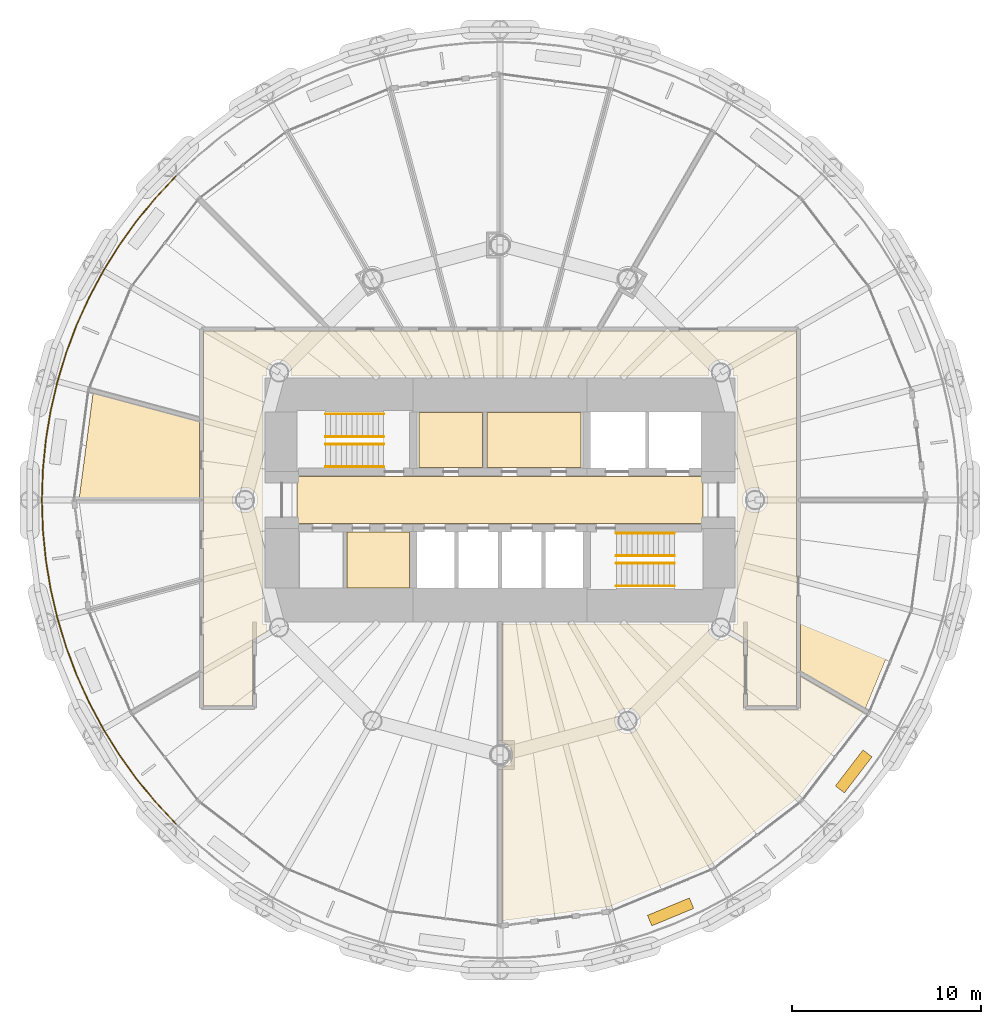
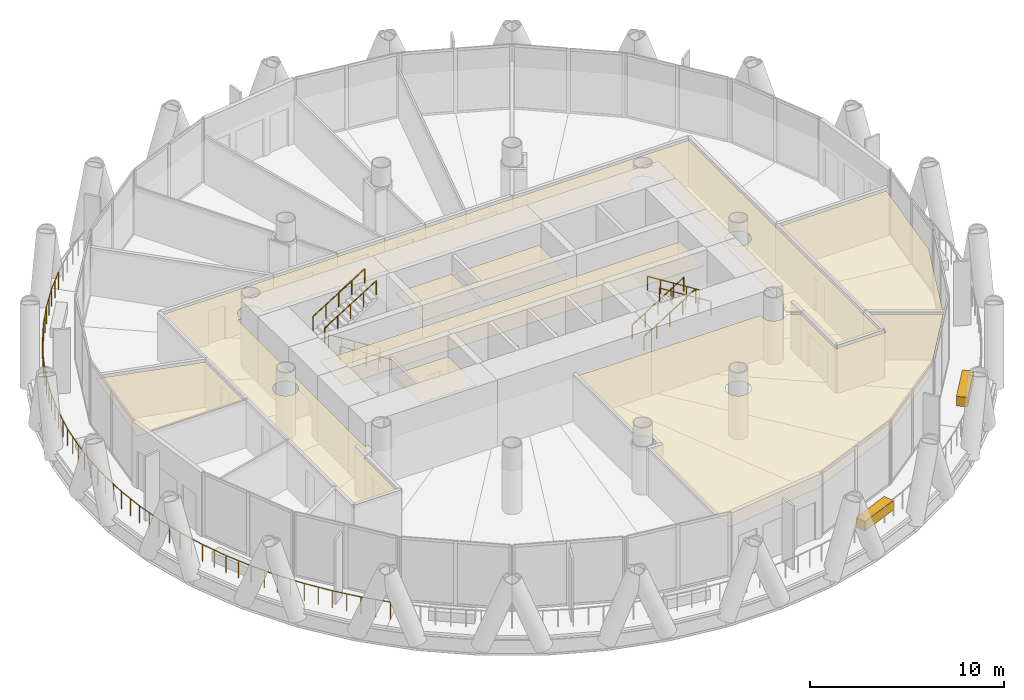
# One storey, part 14 of 16: 10 coverings, 9 railings.
"""IFC4 building model written with IfcOpenShell, lengths in metres."""

from ifc_helpers import new_model, si_unit, direction, frame, origin, origin_2d, place, context, subcontext, project, spatial, polyline, rectangle, circle, outline, extrude, material, layer, layer_set, type_object, element, save


model = new_model("IFC4")

# Units and contexts
model_context = context("Model", 3, precision=1e-05, world=origin(), true_north=direction((0.0, 1.0)))
body_context = subcontext(model_context, "Body", "Model", "MODEL_VIEW")
ifc_project = project(units=[si_unit("LENGTHUNIT", "METRE"), si_unit("AREAUNIT", "SQUARE_METRE"), si_unit("VOLUMEUNIT", "CUBIC_METRE"), si_unit("PLANEANGLEUNIT", "RADIAN"), si_unit("MASSUNIT", "GRAM", prefix="KILO")], contexts=[model_context])

# Site, building, storey
site_placement = place(None, origin())
site = spatial("IfcSite", under=ifc_project, at=site_placement, CompositionType="ELEMENT")
building_placement = place(site_placement, origin())
building = spatial("IfcBuilding", under=site, at=building_placement, Name="Qaws Media Tower", CompositionType="ELEMENT")
storey_placement = place(building_placement, frame((0.0, 0.0, 139.39990234375)))
storey = spatial("IfcBuildingStorey", under=building, at=storey_placement, Name="L31", CompositionType="ELEMENT", Elevation=139.39990234375)

# Railing
ifc_material_1 = material(Name="Stainless steel and glass guard", Category="steel")
railing_type_1 = type_object("IfcRailingType", Name="Balcony guard 1100", PredefinedType="GUARDRAIL", material=ifc_material_1)
railing_placement = place(storey_placement, frame((42.8525390625, 67.1474609375, 0.0)))
element("IfcRailing", 1, at=railing_placement, inside=storey, type_object=railing_type_1, Name="GR1 balcony guard L31-2", PredefinedType="GUARDRAIL", context=body_context, shape_type="SweptSolid", body=[
    extrude(circle(Radius=0.02392578125, at=origin_2d()), frame((0.0, 0.0, 1.076171875), z_axis=(-0.683572560121, -0.729882562506, 0.0), x_axis=(0.729882562506, -0.683572560121, 0.0)), (0.0, 0.0, 1.0), 1.5869140625),
    extrude(circle(Radius=0.02392578125, at=origin_2d()), frame((-1.084716796875, -1.158203125, 1.076171875), z_axis=(-0.634309538939, -0.773079173701, 0.0), x_axis=(0.773079173701, -0.634309538939, 0.0)), (0.0, 0.0, 1.0), 1.5869140625),
    extrude(circle(Radius=0.02392578125, at=origin_2d()), frame((-2.09130859375, -2.385009765625, 1.076171875), z_axis=(-0.582503693952, -0.812828054715, 0.0), x_axis=(0.812828054715, -0.582503693952, 0.0)), (0.0, 0.0, 1.0), 1.5869140625),
    extrude(circle(Radius=0.02392578125, at=origin_2d()), frame((-3.015625, -3.6748046875, 1.076171875), z_axis=(-0.528117041741, -0.849171590565, 0.0), x_axis=(0.849171590565, -0.528117041741, 0.0)), (0.0, 0.0, 1.0), 1.5869140625),
    extrude(circle(Radius=0.02392578125, at=origin_2d()), frame((-3.853759765625, -5.0224609375, 1.076171875), z_axis=(-0.471418536424, -0.881909611874, 0.0), x_axis=(0.881909611874, -0.471418536424, 0.0)), (0.0, 0.0, 1.0), 1.5869140625),
    extrude(circle(Radius=0.02392578125, at=origin_2d()), frame((-4.601806640625, -6.421875, 1.076171875), z_axis=(-0.412608719451, -0.910908362368, 0.0), x_axis=(0.910908362368, -0.412608719451, 0.0)), (0.0, 0.0, 1.0), 1.5869140625),
    extrude(circle(Radius=0.02392578125, at=origin_2d()), frame((-5.256591796875, -7.867431640625, 1.076171875), z_axis=(-0.352320246807, -0.935879502762, 0.0), x_axis=(0.935879502762, -0.352320246807, 0.0)), (0.0, 0.0, 1.0), 1.5869140625),
    extrude(circle(Radius=0.02392578125, at=origin_2d()), frame((-5.815673828125, -9.3525390625, 1.076171875), z_axis=(-0.290169656538, -0.956975219337, 0.0), x_axis=(0.956975219337, -0.290169656538, 0.0)), (0.0, 0.0, 1.0), 1.5869140625),
    extrude(circle(Radius=0.02392578125, at=origin_2d()), frame((-6.276123046875, -10.87109375, 1.076171875), z_axis=(-0.227083706128, -0.973875243761, 0.0), x_axis=(0.973875243761, -0.227083706128, 0.0)), (0.0, 0.0, 1.0), 1.5869140625),
    extrude(circle(Radius=0.02392578125, at=origin_2d()), frame((-6.636474609375, -12.41650390625, 1.076171875), z_axis=(-0.162926836817, -0.986638153451, 0.0), x_axis=(0.986638153451, -0.162926836817, 0.0)), (0.0, 0.0, 1.0), 1.5869140625),
    extrude(circle(Radius=0.02392578125, at=origin_2d()), frame((-6.89501953125, -13.982177734375, 1.076171875), z_axis=(-0.097995674369, -0.995186840651, 0.0), x_axis=(0.995186840651, -0.097995674369, 0.0)), (0.0, 0.0, 1.0), 1.5869140625),
    extrude(circle(Radius=0.02392578125, at=origin_2d()), frame((-7.050537109375, -15.5615234375, 1.076171875), z_axis=(-0.032771796378, -0.999462860422, 0.0), x_axis=(0.999462860422, -0.032771796378, 0.0)), (0.0, 0.0, 1.0), 1.586669921875),
    extrude(circle(Radius=0.02392578125, at=origin_2d()), frame((-7.1025390625, -17.1474609375, 1.076171875), z_axis=(0.032771796378, -0.999462860422, 0.0), x_axis=(0.999462860422, 0.032771796378, 0.0)), (0.0, 0.0, 1.0), 1.586669921875),
    extrude(circle(Radius=0.02392578125, at=origin_2d()), frame((-7.050537109375, -18.7333984375, 1.076171875), z_axis=(0.097995674369, -0.995186840651, 0.0), x_axis=(0.995186840651, 0.097995674369, 0.0)), (0.0, 0.0, 1.0), 1.5869140625),
    extrude(circle(Radius=0.02392578125, at=origin_2d()), frame((-6.89501953125, -20.312744140625, 1.076171875), z_axis=(0.162926836817, -0.986638153451, 0.0), x_axis=(0.986638153451, 0.162926836817, 0.0)), (0.0, 0.0, 1.0), 1.5869140625),
    extrude(circle(Radius=0.02392578125, at=origin_2d()), frame((-6.636474609375, -21.87841796875, 1.076171875), z_axis=(0.227083706128, -0.973875243761, 0.0), x_axis=(0.973875243761, 0.227083706128, 0.0)), (0.0, 0.0, 1.0), 1.5869140625),
    extrude(circle(Radius=0.02392578125, at=origin_2d()), frame((-6.276123046875, -23.423828125, 1.076171875), z_axis=(0.290169656538, -0.956975219337, 0.0), x_axis=(0.956975219337, 0.290169656538, 0.0)), (0.0, 0.0, 1.0), 1.5869140625),
    extrude(circle(Radius=0.02392578125, at=origin_2d()), frame((-5.815673828125, -24.9423828125, 1.076171875), z_axis=(0.352320246807, -0.935879502762, 0.0), x_axis=(0.935879502762, 0.352320246807, 0.0)), (0.0, 0.0, 1.0), 1.5869140625),
    extrude(circle(Radius=0.02392578125, at=origin_2d()), frame((-5.256591796875, -26.427490234375, 1.076171875), z_axis=(0.412608719451, -0.910908362368, 0.0), x_axis=(0.910908362368, 0.412608719451, 0.0)), (0.0, 0.0, 1.0), 1.5869140625),
    extrude(circle(Radius=0.02392578125, at=origin_2d()), frame((-4.601806640625, -27.873046875, 1.076171875), z_axis=(0.471418536424, -0.881909611874, 0.0), x_axis=(0.881909611874, 0.471418536424, 0.0)), (0.0, 0.0, 1.0), 1.5869140625),
    extrude(circle(Radius=0.02392578125, at=origin_2d()), frame((-3.853759765625, -29.2724609375, 1.076171875), z_axis=(0.528117041741, -0.849171590565, 0.0), x_axis=(0.849171590565, 0.528117041741, 0.0)), (0.0, 0.0, 1.0), 1.5869140625),
    extrude(circle(Radius=0.02392578125, at=origin_2d()), frame((-3.015625, -30.6201171875, 1.076171875), z_axis=(0.582503693952, -0.812828054715, 0.0), x_axis=(0.812828054715, 0.582503693952, 0.0)), (0.0, 0.0, 1.0), 1.5869140625),
    extrude(circle(Radius=0.02392578125, at=origin_2d()), frame((-2.09130859375, -31.909912109375, 1.076171875), z_axis=(0.634309538939, -0.773079173701, 0.0), x_axis=(0.773079173701, 0.634309538939, 0.0)), (0.0, 0.0, 1.0), 1.5869140625),
    extrude(circle(Radius=0.02392578125, at=origin_2d()), frame((-1.084716796875, -33.13671875, 1.076171875), z_axis=(0.683572560121, -0.729882562506, 0.0), x_axis=(0.729882562506, 0.683572560121, 0.0)), (0.0, 0.0, 1.0), 1.5869140625),
    extrude(circle(Radius=0.02099609375, at=origin_2d()), origin(), (0.0, 0.0, 1.0), 1.052001953125),
    extrude(circle(Radius=0.02099609375, at=origin_2d()), frame((-0.54248046875, -0.5791015625, 0.0)), (0.0, 0.0, 1.0), 1.052001953125),
    extrude(circle(Radius=0.02099609375, at=origin_2d()), frame((-1.084716796875, -1.158203125, 0.0)), (0.0, 0.0, 1.0), 1.052001953125),
    extrude(circle(Radius=0.02099609375, at=origin_2d()), frame((-1.587890625, -1.771484375, 0.0)), (0.0, 0.0, 1.0), 1.052001953125),
    extrude(circle(Radius=0.02099609375, at=origin_2d()), frame((-2.09130859375, -2.385009765625, 0.0)), (0.0, 0.0, 1.0), 1.052001953125),
    extrude(circle(Radius=0.02099609375, at=origin_2d()), frame((-2.553466796875, -3.02978515625, 0.0)), (0.0, 0.0, 1.0), 1.052001953125),
    extrude(circle(Radius=0.02099609375, at=origin_2d()), frame((-3.015625, -3.6748046875, 0.0)), (0.0, 0.0, 1.0), 1.052001953125),
    extrude(circle(Radius=0.02099609375, at=origin_2d()), frame((-3.4345703125, -4.3486328125, 0.0)), (0.0, 0.0, 1.0), 1.052001953125),
    extrude(circle(Radius=0.02099609375, at=origin_2d()), frame((-3.853759765625, -5.0224609375, 0.0)), (0.0, 0.0, 1.0), 1.052001953125),
    extrude(circle(Radius=0.02099609375, at=origin_2d()), frame((-4.227783203125, -5.72216796875, 0.0)), (0.0, 0.0, 1.0), 1.052001953125),
    extrude(circle(Radius=0.02099609375, at=origin_2d()), frame((-4.601806640625, -6.421875, 0.0)), (0.0, 0.0, 1.0), 1.052001953125),
    extrude(circle(Radius=0.02099609375, at=origin_2d()), frame((-4.92919921875, -7.14453125, 0.0)), (0.0, 0.0, 1.0), 1.052001953125),
    extrude(circle(Radius=0.02099609375, at=origin_2d()), frame((-5.256591796875, -7.867431640625, 0.0)), (0.0, 0.0, 1.0), 1.052001953125),
    extrude(circle(Radius=0.02099609375, at=origin_2d()), frame((-5.5361328125, -8.60986328125, 0.0)), (0.0, 0.0, 1.0), 1.052001953125),
    extrude(circle(Radius=0.02099609375, at=origin_2d()), frame((-5.815673828125, -9.3525390625, 0.0)), (0.0, 0.0, 1.0), 1.052001953125),
    extrude(circle(Radius=0.02099609375, at=origin_2d()), frame((-6.0458984375, -10.11181640625, 0.0)), (0.0, 0.0, 1.0), 1.052001953125),
    extrude(circle(Radius=0.02099609375, at=origin_2d()), frame((-6.276123046875, -10.87109375, 0.0)), (0.0, 0.0, 1.0), 1.052001953125),
    extrude(circle(Radius=0.02099609375, at=origin_2d()), frame((-6.456298828125, -11.643798828125, 0.0)), (0.0, 0.0, 1.0), 1.052001953125),
    extrude(circle(Radius=0.02099609375, at=origin_2d()), frame((-6.636474609375, -12.41650390625, 0.0)), (0.0, 0.0, 1.0), 1.052001953125),
    extrude(circle(Radius=0.02099609375, at=origin_2d()), frame((-6.765625, -13.19921875, 0.0)), (0.0, 0.0, 1.0), 1.052001953125),
    extrude(circle(Radius=0.02099609375, at=origin_2d()), frame((-6.89501953125, -13.982177734375, 0.0)), (0.0, 0.0, 1.0), 1.052001953125),
    extrude(circle(Radius=0.02099609375, at=origin_2d()), frame((-6.97265625, -14.77197265625, 0.0)), (0.0, 0.0, 1.0), 1.052001953125),
    extrude(circle(Radius=0.02099609375, at=origin_2d()), frame((-7.050537109375, -15.5615234375, 0.0)), (0.0, 0.0, 1.0), 1.052001953125),
    extrude(circle(Radius=0.02099609375, at=origin_2d()), frame((-7.07666015625, -16.3544921875, 0.0)), (0.0, 0.0, 1.0), 1.052001953125),
    extrude(circle(Radius=0.02099609375, at=origin_2d()), frame((-7.1025390625, -17.1474609375, 0.0)), (0.0, 0.0, 1.0), 1.052001953125),
    extrude(circle(Radius=0.02099609375, at=origin_2d()), frame((-7.07666015625, -17.9404296875, 0.0)), (0.0, 0.0, 1.0), 1.052001953125),
    extrude(circle(Radius=0.02099609375, at=origin_2d()), frame((-7.050537109375, -18.7333984375, 0.0)), (0.0, 0.0, 1.0), 1.052001953125),
    extrude(circle(Radius=0.02099609375, at=origin_2d()), frame((-6.97265625, -19.52294921875, 0.0)), (0.0, 0.0, 1.0), 1.052001953125),
    extrude(circle(Radius=0.02099609375, at=origin_2d()), frame((-6.89501953125, -20.312744140625, 0.0)), (0.0, 0.0, 1.0), 1.052001953125),
    extrude(circle(Radius=0.02099609375, at=origin_2d()), frame((-6.765625, -21.095703125, 0.0)), (0.0, 0.0, 1.0), 1.052001953125),
    extrude(circle(Radius=0.02099609375, at=origin_2d()), frame((-6.636474609375, -21.87841796875, 0.0)), (0.0, 0.0, 1.0), 1.052001953125),
    extrude(circle(Radius=0.02099609375, at=origin_2d()), frame((-6.456298828125, -22.651123046875, 0.0)), (0.0, 0.0, 1.0), 1.052001953125),
    extrude(circle(Radius=0.02099609375, at=origin_2d()), frame((-6.276123046875, -23.423828125, 0.0)), (0.0, 0.0, 1.0), 1.052001953125),
    extrude(circle(Radius=0.02099609375, at=origin_2d()), frame((-6.0458984375, -24.18310546875, 0.0)), (0.0, 0.0, 1.0), 1.052001953125),
    extrude(circle(Radius=0.02099609375, at=origin_2d()), frame((-5.815673828125, -24.9423828125, 0.0)), (0.0, 0.0, 1.0), 1.052001953125),
    extrude(circle(Radius=0.02099609375, at=origin_2d()), frame((-5.5361328125, -25.68505859375, 0.0)), (0.0, 0.0, 1.0), 1.052001953125),
    extrude(circle(Radius=0.02099609375, at=origin_2d()), frame((-5.256591796875, -26.427490234375, 0.0)), (0.0, 0.0, 1.0), 1.052001953125),
    extrude(circle(Radius=0.02099609375, at=origin_2d()), frame((-4.92919921875, -27.150390625, 0.0)), (0.0, 0.0, 1.0), 1.052001953125),
    extrude(circle(Radius=0.02099609375, at=origin_2d()), frame((-4.601806640625, -27.873046875, 0.0)), (0.0, 0.0, 1.0), 1.052001953125),
    extrude(circle(Radius=0.02099609375, at=origin_2d()), frame((-4.227783203125, -28.57275390625, 0.0)), (0.0, 0.0, 1.0), 1.052001953125),
    extrude(circle(Radius=0.02099609375, at=origin_2d()), frame((-3.853759765625, -29.2724609375, 0.0)), (0.0, 0.0, 1.0), 1.052001953125),
    extrude(circle(Radius=0.02099609375, at=origin_2d()), frame((-3.4345703125, -29.9462890625, 0.0)), (0.0, 0.0, 1.0), 1.052001953125),
    extrude(circle(Radius=0.02099609375, at=origin_2d()), frame((-3.015625, -30.6201171875, 0.0)), (0.0, 0.0, 1.0), 1.052001953125),
    extrude(circle(Radius=0.02099609375, at=origin_2d()), frame((-2.553466796875, -31.26513671875, 0.0)), (0.0, 0.0, 1.0), 1.052001953125),
    extrude(circle(Radius=0.02099609375, at=origin_2d()), frame((-2.09130859375, -31.909912109375, 0.0)), (0.0, 0.0, 1.0), 1.052001953125),
    extrude(circle(Radius=0.02099609375, at=origin_2d()), frame((-1.587890625, -32.5234375, 0.0)), (0.0, 0.0, 1.0), 1.052001953125),
    extrude(circle(Radius=0.02099609375, at=origin_2d()), frame((-1.084716796875, -33.13671875, 0.0)), (0.0, 0.0, 1.0), 1.052001953125),
    extrude(circle(Radius=0.02099609375, at=origin_2d()), frame((-0.54248046875, -33.7158203125, 0.0)), (0.0, 0.0, 1.0), 1.052001953125),
    extrude(circle(Radius=0.02099609375, at=origin_2d()), frame((0.0, -34.294921875, 0.0)), (0.0, 0.0, 1.0), 1.052001953125),
])

# Coverings
ifc_material_2 = material(Name="600 x 600 mineral fibre tiles in exposed grid, suspended", Category="mineral fibre")
ifc_layer_1 = layer(ifc_material_2, 0.02001953125)
ifc_layer_set_1 = layer_set([ifc_layer_1], Name="Mineral fibre tile ceiling 20")
covering_type_1 = type_object("IfcCoveringType", Name="Mineral fibre tile ceiling 20", PredefinedType="CEILING", material=ifc_layer_set_1)
covering_1_placement = place(storey_placement, frame((0.0, 0.0, 2.85009765625)))
element("IfcCovering", 2, at=covering_1_placement, inside=storey, type_object=covering_type_1, Name="CL1 ceiling L31-C07 Ladies toilets", PredefinedType="CEILING", context=body_context, shape_type="SweptSolid", body=[
    extrude(outline(polyline([(55.719970703125, 51.719970703125), (55.719970703125, 54.6298828125), (59.080078125, 54.6298828125), (59.080078125, 51.719970703125), (55.719970703125, 51.719970703125)])), origin(), (0.0, 0.0, 1.0), 0.02001953125),
])
covering_2_placement = place(storey_placement, frame((0.0, 0.0, 2.85009765625)))
element("IfcCovering", 3, at=covering_2_placement, inside=storey, type_object=covering_type_1, Name="CL1 ceiling L31-C08 Gents toilets", PredefinedType="CEILING", context=body_context, shape_type="SweptSolid", body=[
    extrude(outline(polyline([(59.320068359375, 51.719970703125), (59.320068359375, 54.6298828125), (64.280029296875, 54.6298828125), (64.280029296875, 51.719970703125), (59.320068359375, 51.719970703125)])), origin(), (0.0, 0.0, 1.0), 0.02001953125),
])
covering_3_placement = place(storey_placement, frame((0.0, 0.0, 2.85009765625)))
element("IfcCovering", 4, at=covering_3_placement, inside=storey, type_object=covering_type_1, Name="CL1 ceiling L31-01 Corridor", PredefinedType="CEILING", context=body_context, shape_type="SweptSolid", body=[
    extrude(outline(polyline([(44.3125, 39.112548828125), (44.3125, 58.9375), (75.6875, 58.9375), (75.6875, 39.112548828125), (73.112548828125, 39.112548828125), (73.112548828125, 42.559326171875), (72.31689453125, 43.018798828125), (72.336669921875, 43.0771484375), (72.353515625, 43.162841796875), (72.359375, 43.25), (72.353515625, 43.337158203125), (72.336669921875, 43.4228515625), (72.33154296875, 43.4375), (72.5625, 43.4375), (72.5625, 56.5625), (72.33154296875, 56.5625), (72.336669921875, 56.5771484375), (72.353515625, 56.662841796875), (72.359375, 56.75), (72.353515625, 56.837158203125), (72.336669921875, 56.9228515625), (72.30859375, 57.005615234375), (72.269775390625, 57.083984375), (72.22119140625, 57.15673828125), (72.163818359375, 57.222412109375), (72.097900390625, 57.280029296875), (72.025390625, 57.32861328125), (71.947021484375, 57.3671875), (71.8642578125, 57.395263671875), (71.778564453125, 57.412353515625), (71.69140625, 57.41796875), (71.604248046875, 57.412353515625), (71.5185546875, 57.395263671875), (71.435791015625, 57.3671875), (71.357421875, 57.32861328125), (71.28466796875, 57.280029296875), (71.218994140625, 57.222412109375), (71.161376953125, 57.15673828125), (71.11279296875, 57.083984375), (71.07421875, 57.005615234375), (71.046142578125, 56.9228515625), (71.029052734375, 56.837158203125), (71.023193359375, 56.75), (71.029052734375, 56.662841796875), (71.046142578125, 56.5771484375), (71.051025390625, 56.5625), (48.948974609375, 56.5625), (48.953857421875, 56.5771484375), (48.970947265625, 56.662841796875), (48.976806640625, 56.75), (48.970947265625, 56.837158203125), (48.953857421875, 56.9228515625), (48.92578125, 57.005615234375), (48.88720703125, 57.083984375), (48.838623046875, 57.15673828125), (48.781005859375, 57.222412109375), (48.71533203125, 57.280029296875), (48.642578125, 57.32861328125), (48.564208984375, 57.3671875), (48.4814453125, 57.395263671875), (48.395751953125, 57.412353515625), (48.30859375, 57.41796875), (48.221435546875, 57.412353515625), (48.1357421875, 57.395263671875), (48.052978515625, 57.3671875), (47.974609375, 57.32861328125), (47.902099609375, 57.280029296875), (47.836181640625, 57.222412109375), (47.77880859375, 57.15673828125), (47.730224609375, 57.083984375), (47.69140625, 57.005615234375), (47.663330078125, 56.9228515625), (47.646484375, 56.837158203125), (47.640625, 56.75), (47.646484375, 56.662841796875), (47.663330078125, 56.5771484375), (47.66845703125, 56.5625), (47.4375, 56.5625), (47.4375, 43.4375), (47.66845703125, 43.4375), (47.663330078125, 43.4228515625), (47.646484375, 43.337158203125), (47.640625, 43.25), (47.646484375, 43.162841796875), (47.663330078125, 43.0771484375), (47.68310546875, 43.018798828125), (46.887451171875, 42.559326171875), (46.887451171875, 39.112548828125), (44.3125, 39.112548828125)]), holes=[polyline([(47.1171875, 49.744384765625), (47.145263671875, 49.8271484375), (47.162353515625, 49.912841796875), (47.16796875, 50.0), (47.162353515625, 50.087158203125), (47.145263671875, 50.1728515625), (47.1171875, 50.255615234375), (47.07861328125, 50.333984375), (47.030029296875, 50.40673828125), (46.972412109375, 50.472412109375), (46.90673828125, 50.530029296875), (46.833984375, 50.57861328125), (46.755615234375, 50.6171875), (46.6728515625, 50.645263671875), (46.587158203125, 50.662353515625), (46.5, 50.66796875), (46.412841796875, 50.662353515625), (46.3271484375, 50.645263671875), (46.244384765625, 50.6171875), (46.166015625, 50.57861328125), (46.09326171875, 50.530029296875), (46.027587890625, 50.472412109375), (45.969970703125, 50.40673828125), (45.92138671875, 50.333984375), (45.8828125, 50.255615234375), (45.854736328125, 50.1728515625), (45.837646484375, 50.087158203125), (45.83203125, 50.0), (45.837646484375, 49.912841796875), (45.854736328125, 49.8271484375), (45.8828125, 49.744384765625), (45.92138671875, 49.666015625), (45.969970703125, 49.59326171875), (46.027587890625, 49.527587890625), (46.09326171875, 49.469970703125), (46.166015625, 49.42138671875), (46.244384765625, 49.3828125), (46.3271484375, 49.354736328125), (46.412841796875, 49.337646484375), (46.5, 49.33203125), (46.587158203125, 49.337646484375), (46.6728515625, 49.354736328125), (46.755615234375, 49.3828125), (46.833984375, 49.42138671875), (46.90673828125, 49.469970703125), (46.972412109375, 49.527587890625), (47.030029296875, 49.59326171875), (47.07861328125, 49.666015625), (47.1171875, 49.744384765625)]), polyline([(74.145263671875, 49.8271484375), (74.162353515625, 49.912841796875), (74.16796875, 50.0), (74.162353515625, 50.087158203125), (74.145263671875, 50.1728515625), (74.1171875, 50.255615234375), (74.07861328125, 50.333984375), (74.030029296875, 50.40673828125), (73.972412109375, 50.472412109375), (73.90673828125, 50.530029296875), (73.833984375, 50.57861328125), (73.755615234375, 50.6171875), (73.6728515625, 50.645263671875), (73.587158203125, 50.662353515625), (73.5, 50.66796875), (73.412841796875, 50.662353515625), (73.3271484375, 50.645263671875), (73.244384765625, 50.6171875), (73.166015625, 50.57861328125), (73.09326171875, 50.530029296875), (73.027587890625, 50.472412109375), (72.969970703125, 50.40673828125), (72.92138671875, 50.333984375), (72.8828125, 50.255615234375), (72.854736328125, 50.1728515625), (72.837646484375, 50.087158203125), (72.83203125, 50.0), (72.837646484375, 49.912841796875), (72.854736328125, 49.8271484375), (72.8828125, 49.744384765625), (72.92138671875, 49.666015625), (72.969970703125, 49.59326171875), (73.027587890625, 49.527587890625), (73.09326171875, 49.469970703125), (73.166015625, 49.42138671875), (73.244384765625, 49.3828125), (73.3271484375, 49.354736328125), (73.412841796875, 49.337646484375), (73.5, 49.33203125), (73.587158203125, 49.337646484375), (73.6728515625, 49.354736328125), (73.755615234375, 49.3828125), (73.833984375, 49.42138671875), (73.90673828125, 49.469970703125), (73.972412109375, 49.527587890625), (74.030029296875, 49.59326171875), (74.07861328125, 49.666015625), (74.1171875, 49.744384765625), (74.145263671875, 49.8271484375)])]), origin(), (0.0, 0.0, 1.0), 0.02001953125),
])
covering_4_placement = place(storey_placement, frame((0.0, 0.0, 2.85009765625)))
element("IfcCovering", 5, at=covering_4_placement, inside=storey, type_object=covering_type_1, Name="CL1 ceiling L31-09 Office", PredefinedType="CEILING", context=body_context, shape_type="SweptSolid", body=[
    extrude(outline(polyline([(38.459228515625, 55.6552734375), (44.08740234375, 54.147216796875), (44.08740234375, 50.112548828125), (37.7294921875, 50.112548828125), (38.459228515625, 55.6552734375)])), origin(), (0.0, 0.0, 1.0), 0.02001953125),
])
covering_5_placement = place(storey_placement, frame((0.0, 0.0, 2.85009765625)))
element("IfcCovering", 6, at=covering_5_placement, inside=storey, type_object=covering_type_1, Name="CL1 ceiling L31-13 Paralegal office", PredefinedType="CEILING", context=body_context, shape_type="SweptSolid", body=[
    extrude(outline(polyline([(72.887451171875, 38.887451171875), (75.91259765625, 38.887451171875), (75.91259765625, 40.68310546875), (79.23046875, 38.767333984375), (75.758056640625, 34.241943359375), (71.142578125, 30.700439453125), (65.767822265625, 28.47412109375), (60.112548828125, 27.7294921875), (60.112548828125, 35.8427734375), (60.1728515625, 35.854736328125), (60.255615234375, 35.8828125), (60.333984375, 35.92138671875), (60.40673828125, 35.969970703125), (60.472412109375, 36.027587890625), (60.530029296875, 36.09326171875), (60.57861328125, 36.166015625), (60.6171875, 36.244384765625), (60.645263671875, 36.3271484375), (60.662353515625, 36.412841796875), (60.66796875, 36.5), (60.662353515625, 36.587158203125), (60.645263671875, 36.6728515625), (60.6171875, 36.755615234375), (60.57861328125, 36.833984375), (60.530029296875, 36.90673828125), (60.472412109375, 36.972412109375), (60.40673828125, 37.030029296875), (60.333984375, 37.07861328125), (60.255615234375, 37.1171875), (60.1728515625, 37.145263671875), (60.112548828125, 37.1572265625), (60.112548828125, 43.4375), (71.051025390625, 43.4375), (71.046142578125, 43.4228515625), (71.029052734375, 43.337158203125), (71.023193359375, 43.25), (71.029052734375, 43.162841796875), (71.046142578125, 43.0771484375), (71.07421875, 42.994384765625), (71.11279296875, 42.916015625), (71.161376953125, 42.84326171875), (71.218994140625, 42.777587890625), (71.28466796875, 42.719970703125), (71.357421875, 42.67138671875), (71.435791015625, 42.6328125), (71.5185546875, 42.604736328125), (71.604248046875, 42.587646484375), (71.69140625, 42.58203125), (71.778564453125, 42.587646484375), (71.8642578125, 42.604736328125), (71.947021484375, 42.6328125), (72.025390625, 42.67138671875), (72.097900390625, 42.719970703125), (72.163818359375, 42.777587890625), (72.204345703125, 42.823974609375), (72.887451171875, 42.429443359375), (72.887451171875, 38.887451171875)]), holes=[polyline([(67.3671875, 38.052978515625), (67.395263671875, 38.1357421875), (67.412353515625, 38.221435546875), (67.41796875, 38.30859375), (67.412353515625, 38.395751953125), (67.395263671875, 38.4814453125), (67.3671875, 38.564208984375), (67.32861328125, 38.642578125), (67.280029296875, 38.71533203125), (67.222412109375, 38.781005859375), (67.15673828125, 38.838623046875), (67.083984375, 38.88720703125), (67.005615234375, 38.92578125), (66.9228515625, 38.953857421875), (66.837158203125, 38.970947265625), (66.75, 38.976806640625), (66.662841796875, 38.970947265625), (66.5771484375, 38.953857421875), (66.494384765625, 38.92578125), (66.416015625, 38.88720703125), (66.34326171875, 38.838623046875), (66.277587890625, 38.781005859375), (66.219970703125, 38.71533203125), (66.17138671875, 38.642578125), (66.1328125, 38.564208984375), (66.104736328125, 38.4814453125), (66.087646484375, 38.395751953125), (66.08203125, 38.30859375), (66.087646484375, 38.221435546875), (66.104736328125, 38.1357421875), (66.1328125, 38.052978515625), (66.17138671875, 37.974609375), (66.219970703125, 37.902099609375), (66.277587890625, 37.836181640625), (66.34326171875, 37.77880859375), (66.416015625, 37.730224609375), (66.494384765625, 37.69140625), (66.5771484375, 37.663330078125), (66.662841796875, 37.646484375), (66.75, 37.640625), (66.837158203125, 37.646484375), (66.9228515625, 37.663330078125), (67.005615234375, 37.69140625), (67.083984375, 37.730224609375), (67.15673828125, 37.77880859375), (67.222412109375, 37.836181640625), (67.280029296875, 37.902099609375), (67.32861328125, 37.974609375), (67.3671875, 38.052978515625)])]), origin(), (0.0, 0.0, 1.0), 0.02001953125),
])
covering_6_placement = place(storey_placement, frame((0.0, 0.0, 2.85009765625)))
element("IfcCovering", 7, at=covering_6_placement, inside=storey, type_object=covering_type_1, Name="CL1 ceiling L31-14 Paralegal office", PredefinedType="CEILING", context=body_context, shape_type="SweptSolid", body=[
    extrude(outline(polyline([(81.52587890625, 44.232177734375), (79.343017578125, 38.962158203125), (75.91259765625, 40.94287109375), (75.91259765625, 49.887451171875), (82.2705078125, 49.887451171875), (81.52587890625, 44.232177734375)])), origin(), (0.0, 0.0, 1.0), 0.02001953125),
])
covering_7_placement = place(storey_placement, frame((0.0, 0.0, 2.85009765625)))
element("IfcCovering", 8, at=covering_7_placement, inside=storey, type_object=covering_type_1, Name="CL1 ceiling L31-C05 First aid room", PredefinedType="CEILING", context=body_context, shape_type="SweptSolid", body=[
    extrude(outline(polyline([(51.89990234375, 45.35009765625), (51.89990234375, 48.300048828125), (55.199951171875, 48.300048828125), (55.199951171875, 45.35009765625), (51.89990234375, 45.35009765625)])), origin(), (0.0, 0.0, 1.0), 0.02001953125),
])
ifc_material_3 = material(Name="Precast concrete planter with trailing planting", Category="concrete")
ifc_layer_2 = layer(ifc_material_3, 0.60009765625)
ifc_layer_set_2 = layer_set([ifc_layer_2], Name="Planter 2400x600")
covering_type_2 = type_object("IfcCoveringType", Name="Planter 2400x600", PredefinedType="USERDEFINED", material=ifc_layer_set_2)
for number, where, z_axis, x_axis, name in (
    (9, (69.03125, 28.196533203125, 0.0), (0.0, 0.0, 1.0), (0.923879532511, 0.382683432365, 0.0), "PL1 balcony planter L31-10"),
    (10, (78.72314453125, 35.63330078125, 0.0), (0.0, 0.0, 1.0), (0.608761429009, 0.793353340291, 0.0), "PL1 balcony planter L31-11"),
):
    element("IfcCovering", number, at=place(storey_placement, frame(where, z_axis=z_axis, x_axis=x_axis)), inside=storey, type_object=covering_type_2, Name=name, ObjectType="PLANTER", PredefinedType="USERDEFINED", context=body_context, shape_type="SweptSolid", body=[
        extrude(rectangle(XDim=2.39990234375, YDim=0.60009765625, at=origin_2d()), origin(), (0.0, 0.0, 1.0), 0.60009765625),
    ])
ifc_material_4 = material(Name="Two layers 12.5 moisture-resistant plasterboard on suspended metal furring", Category="gypsum")
ifc_layer_3 = layer(ifc_material_4, 0.02490234375)
ifc_layer_set_3 = layer_set([ifc_layer_3], Name="Plasterboard ceiling 25")
covering_type_3 = type_object("IfcCoveringType", Name="Plasterboard ceiling 25", PredefinedType="CEILING", material=ifc_layer_set_3)
covering_8_placement = place(storey_placement, frame((0.0, 0.0, 2.85009765625)))
element("IfcCovering", 11, at=covering_8_placement, inside=storey, type_object=covering_type_3, Name="CL2 ceiling L31-C01 Lift lobby", PredefinedType="CEILING", context=body_context, shape_type="SweptSolid", body=[
    extrude(outline(polyline([(49.25, 48.75), (49.25, 51.25), (70.75, 51.25), (70.75, 48.75), (49.25, 48.75)])), origin(), (0.0, 0.0, 1.0), 0.02490234375),
])

# Railings
ifc_material_5 = material(Name="Steel tube handrail", Category="steel")
railing_type_2 = type_object("IfcRailingType", Name="Stair handrail 900", PredefinedType="HANDRAIL", material=ifc_material_5)
for number, where, name in (
    (12, (53.840087890625, 51.75, 0.175048828125), "HR1 handrail S1 flight 1 L31"),
    (13, (53.840087890625, 52.9599609375, 0.175048828125), "HR1 handrail S1 flight 1 L31"),
):
    element("IfcRailing", number, at=place(storey_placement, frame(where)), inside=storey, type_object=railing_type_2, Name=name, PredefinedType="HANDRAIL", context=body_context, shape_type="SweptSolid", body=[
        extrude(circle(Radius=0.02392578125, at=origin_2d()), frame((0.0, 0.0, 0.8759765625), z_axis=(-0.847998304005, 0.0, 0.529998940003), x_axis=(0.0, -1.0, 0.0)), (0.0, 0.0, 1.0), 3.632080078125),
        extrude(circle(Radius=0.02099609375, at=origin_2d()), origin(), (0.0, 0.0, 1.0), 0.851806640625),
        extrude(circle(Radius=0.02099609375, at=origin_2d()), frame((-0.77001953125, 0.0, 0.481201171875)), (0.0, 0.0, 1.0), 0.851806640625),
        extrude(circle(Radius=0.02099609375, at=origin_2d()), frame((-1.5400390625, 0.0, 0.96240234375)), (0.0, 0.0, 1.0), 0.851806640625),
        extrude(circle(Radius=0.02099609375, at=origin_2d()), frame((-2.31005859375, 0.0, 1.44384765625)), (0.0, 0.0, 1.0), 0.851806640625),
        extrude(circle(Radius=0.02099609375, at=origin_2d()), frame((-3.080078125, 0.0, 1.925048828125)), (0.0, 0.0, 1.0), 0.851806640625),
    ])
for number, where, name in (
    (14, (50.760009765625, 54.550048828125, 2.275146484375), "HR1 handrail S1 flight 2 L31"),
    (15, (50.760009765625, 53.340087890625, 2.275146484375), "HR1 handrail S1 flight 2 L31"),
    (16, (66.159912109375, 48.25, 0.175048828125), "HR1 handrail S2 flight 1 L31"),
    (17, (66.159912109375, 47.0400390625, 0.175048828125), "HR1 handrail S2 flight 1 L31"),
):
    element("IfcRailing", number, at=place(storey_placement, frame(where)), inside=storey, type_object=railing_type_2, Name=name, PredefinedType="HANDRAIL", context=body_context, shape_type="SweptSolid", body=[
        extrude(circle(Radius=0.02392578125, at=origin_2d()), frame((0.0, 0.0, 0.8759765625), z_axis=(0.847998304005, 0.0, 0.529998940003), x_axis=(0.0, 1.0, 0.0)), (0.0, 0.0, 1.0), 3.632080078125),
        extrude(circle(Radius=0.02099609375, at=origin_2d()), origin(), (0.0, 0.0, 1.0), 0.851806640625),
        extrude(circle(Radius=0.02099609375, at=origin_2d()), frame((0.77001953125, 0.0, 0.481201171875)), (0.0, 0.0, 1.0), 0.851806640625),
        extrude(circle(Radius=0.02099609375, at=origin_2d()), frame((1.5400390625, 0.0, 0.96240234375)), (0.0, 0.0, 1.0), 0.851806640625),
        extrude(circle(Radius=0.02099609375, at=origin_2d()), frame((2.31005859375, 0.0, 1.44384765625)), (0.0, 0.0, 1.0), 0.851806640625),
        extrude(circle(Radius=0.02099609375, at=origin_2d()), frame((3.080078125, 0.0, 1.925048828125)), (0.0, 0.0, 1.0), 0.851806640625),
    ])
for number, where, name in (
    (18, (69.239990234375, 45.449951171875, 2.275146484375), "HR1 handrail S2 flight 2 L31"),
    (19, (69.239990234375, 46.659912109375, 2.275146484375), "HR1 handrail S2 flight 2 L31"),
):
    element("IfcRailing", number, at=place(storey_placement, frame(where)), inside=storey, type_object=railing_type_2, Name=name, PredefinedType="HANDRAIL", context=body_context, shape_type="SweptSolid", body=[
        extrude(circle(Radius=0.02392578125, at=origin_2d()), frame((0.0, 0.0, 0.8759765625), z_axis=(-0.847998304005, 0.0, 0.529998940003), x_axis=(0.0, -1.0, 0.0)), (0.0, 0.0, 1.0), 3.632080078125),
        extrude(circle(Radius=0.02099609375, at=origin_2d()), origin(), (0.0, 0.0, 1.0), 0.851806640625),
        extrude(circle(Radius=0.02099609375, at=origin_2d()), frame((-0.77001953125, 0.0, 0.481201171875)), (0.0, 0.0, 1.0), 0.851806640625),
        extrude(circle(Radius=0.02099609375, at=origin_2d()), frame((-1.5400390625, 0.0, 0.96240234375)), (0.0, 0.0, 1.0), 0.851806640625),
        extrude(circle(Radius=0.02099609375, at=origin_2d()), frame((-2.31005859375, 0.0, 1.44384765625)), (0.0, 0.0, 1.0), 0.851806640625),
        extrude(circle(Radius=0.02099609375, at=origin_2d()), frame((-3.080078125, 0.0, 1.925048828125)), (0.0, 0.0, 1.0), 0.851806640625),
    ])

save(model, "model.ifc")
